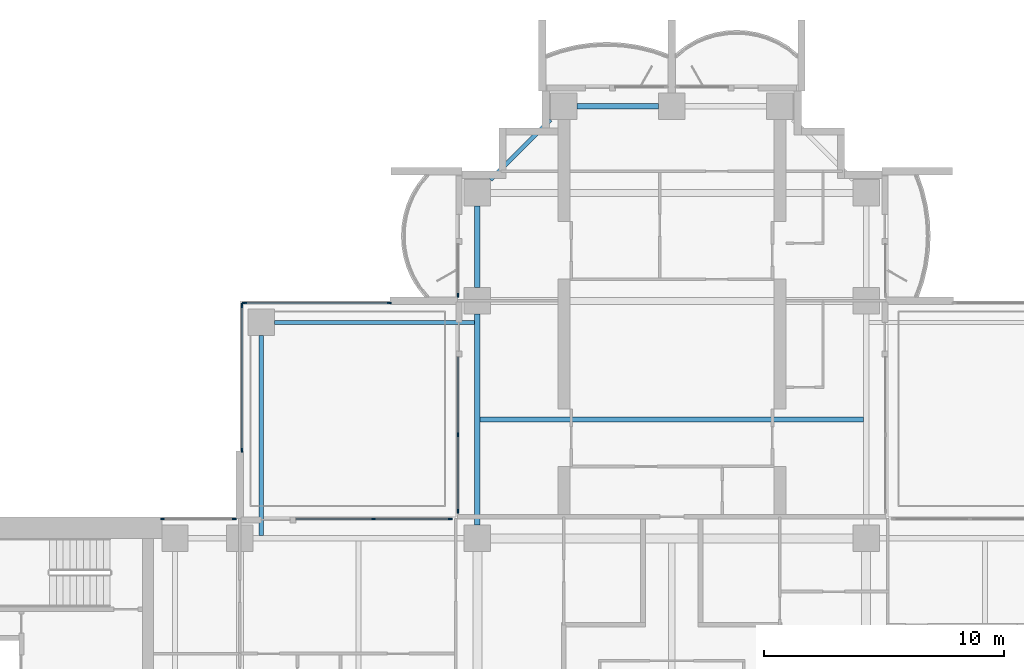
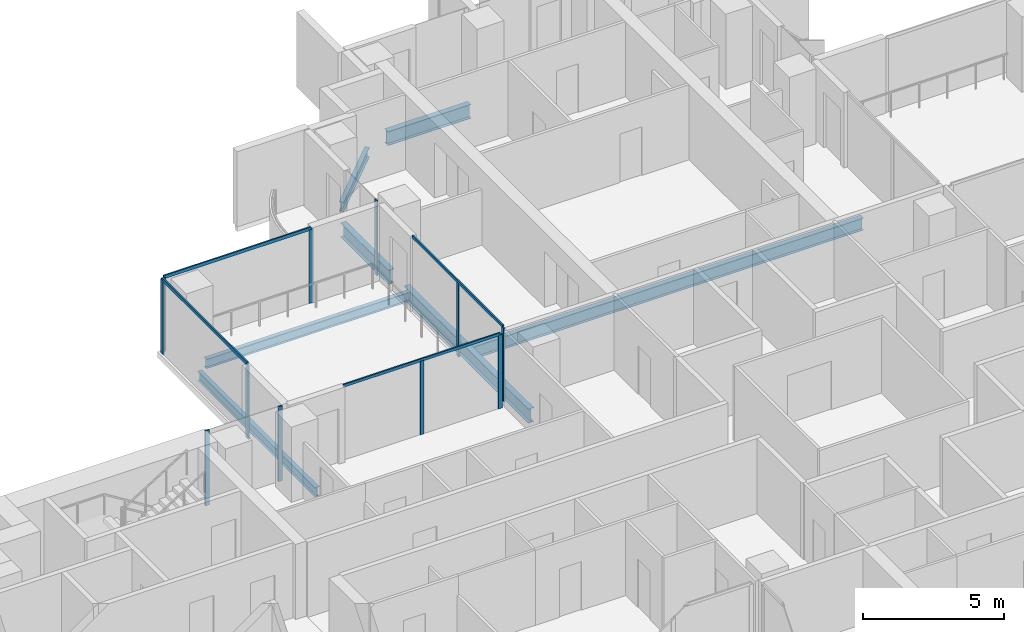
# One storey, part 5 of 19: 15 members, 7 beams, 6 elements without a shape of their own.
"""IFC4 building model written with IfcOpenShell, lengths in metres."""

from ifc_helpers import new_model, si_unit, direction, frame, origin, origin_2d, place, context, subcontext, project, spatial, rectangle, i_section, extrude, material, material_profile, profile_set, type_object, element, aggregate, save


model = new_model("IFC4")

# Units and contexts
model_context = context("Model", 3, precision=1e-05, world=origin(), true_north=direction((0.0, 1.0)))
body_context = subcontext(model_context, "Body", "Model", "MODEL_VIEW")
ifc_project = project(units=[si_unit("LENGTHUNIT", "METRE"), si_unit("AREAUNIT", "SQUARE_METRE"), si_unit("VOLUMEUNIT", "CUBIC_METRE"), si_unit("PLANEANGLEUNIT", "RADIAN"), si_unit("MASSUNIT", "GRAM", prefix="KILO")], contexts=[model_context])

# Site, building, storey
site_placement = place(None, origin())
site = spatial("IfcSite", under=ifc_project, at=site_placement, CompositionType="ELEMENT")
building_placement = place(site_placement, origin())
building = spatial("IfcBuilding", under=site, at=building_placement, Name="Perihelion Cross Residences", CompositionType="ELEMENT")
storey_placement = place(building_placement, frame((0.0, 0.0, 119.89990234375)))
storey = spatial("IfcBuildingStorey", under=building, at=storey_placement, Name="L28", CompositionType="ELEMENT", Elevation=119.89990234375)

# Curtain wall, member
ifc_material_1 = material(Name="Bronze anodised aluminium, tinted glazing", Category="aluminium")
curtain_wall_type_1 = type_object("IfcCurtainWallType", Name="CW1", PredefinedType="NOTDEFINED", material=ifc_material_1)
curtain_wall_1_placement = place(storey_placement, origin())
curtain_wall_1 = element("IfcCurtainWall", 1, at=curtain_wall_1_placement, inside=storey, type_object=curtain_wall_type_1, Name="Curtain wall CW1 L28 north side west bay 1", PredefinedType="NOTDEFINED")
ifc_material_2 = material(Name="Bronze anodised aluminium", Category="aluminium")
ifc_material_profile_1 = material_profile(ifc_material_2, rectangle(XDim=0.06005859375, YDim=0.159912109375, at=origin_2d()), Name="CW1 mullion")
ifc_profile_set_1 = profile_set([ifc_material_profile_1], Name="Bronze anodised aluminium")
member_type_1 = type_object("IfcMemberType", Name="CW1 mullion", PredefinedType="MULLION", material=ifc_profile_set_1)
member_1_placement = place(storey_placement, frame((-8.89990234375, 18.22998046875, 0.0), z_axis=(0.0, 0.0, 1.0), x_axis=(1.0, 0.0, 0.0)))
member_1 = element("IfcMember", 2, at=member_1_placement, type_object=member_type_1, Name="CW1 mullion 2", PredefinedType="MULLION", context=body_context, shape_type="SweptSolid", body=[
    extrude(rectangle(XDim=0.06005859375, YDim=0.159912109375, at=origin_2d()), origin(), (0.0, 0.0, 1.0), 3.25),
])
aggregate(curtain_wall_1, [member_1])

# Curtain wall, members
curtain_wall_2_placement = place(storey_placement, origin())
curtain_wall_2 = element("IfcCurtainWall", 3, at=curtain_wall_2_placement, inside=storey, type_object=curtain_wall_type_1, Name="Curtain wall CW1 L28 north side west bay 2", PredefinedType="NOTDEFINED")
member_2_placement = place(storey_placement, frame((-8.89990234375, 12.425048828125, 0.0), z_axis=(0.0, 0.0, 1.0), x_axis=(1.0, 0.0, 0.0)))
member_2 = element("IfcMember", 4, at=member_2_placement, type_object=member_type_1, Name="CW1 mullion 2", PredefinedType="MULLION", context=body_context, shape_type="SweptSolid", body=[
    extrude(rectangle(XDim=0.06005859375, YDim=0.159912109375, at=origin_2d()), origin(), (0.0, 0.0, 1.0), 3.190185546875),
])
member_3_placement = place(storey_placement, frame((-8.89990234375, 9.22998046875, 0.0), z_axis=(0.0, 0.0, 1.0), x_axis=(1.0, 0.0, 0.0)))
member_3 = element("IfcMember", 5, at=member_3_placement, type_object=member_type_1, Name="CW1 mullion 3", PredefinedType="MULLION", context=body_context, shape_type="SweptSolid", body=[
    extrude(rectangle(XDim=0.06005859375, YDim=0.159912109375, at=origin_2d()), origin(), (0.0, 0.0, 1.0), 3.190185546875),
])

curtain_wall_3_placement = place(storey_placement, origin())
curtain_wall_3 = element("IfcCurtainWall", 6, at=curtain_wall_3_placement, inside=storey, type_object=curtain_wall_type_1, Name="Curtain wall CW1 L28 west side north bay 1", PredefinedType="NOTDEFINED")
member_4_placement = place(storey_placement, frame((-9.22998046875, 8.89990234375, 0.0), z_axis=(0.0, 0.0, 1.0), x_axis=(0.0, -1.0, 0.0)))
member_4 = element("IfcMember", 7, at=member_4_placement, type_object=member_type_1, Name="CW1 mullion 1", PredefinedType="MULLION", context=body_context, shape_type="SweptSolid", body=[
    extrude(rectangle(XDim=0.06005859375, YDim=0.159912109375, at=origin_2d()), origin(), (0.0, 0.0, 1.0), 3.190185546875),
])
member_5_placement = place(storey_placement, frame((-12.425048828125, 8.89990234375, 0.0), z_axis=(0.0, 0.0, 1.0), x_axis=(0.0, -1.0, 0.0)))
member_5 = element("IfcMember", 8, at=member_5_placement, type_object=member_type_1, Name="CW1 mullion 2", PredefinedType="MULLION", context=body_context, shape_type="SweptSolid", body=[
    extrude(rectangle(XDim=0.06005859375, YDim=0.159912109375, at=origin_2d()), origin(), (0.0, 0.0, 1.0), 3.190185546875),
])

curtain_wall_4_placement = place(storey_placement, origin())
curtain_wall_4 = element("IfcCurtainWall", 9, at=curtain_wall_4_placement, inside=storey, type_object=curtain_wall_type_1, Name="Curtain wall CW1 L28 west side north bay 2", PredefinedType="NOTDEFINED")
member_6_placement = place(storey_placement, frame((-18.22998046875, 8.89990234375, 0.0), z_axis=(0.0, 0.0, 1.0), x_axis=(0.0, -1.0, 0.0)))
member_6 = element("IfcMember", 10, at=member_6_placement, type_object=member_type_1, Name="CW1 mullion 1", PredefinedType="MULLION", context=body_context, shape_type="SweptSolid", body=[
    extrude(rectangle(XDim=0.06005859375, YDim=0.159912109375, at=origin_2d()), origin(), (0.0, 0.0, 1.0), 3.25),
])
member_7_placement = place(storey_placement, frame((-21.219970703125, 8.89990234375, 0.0), z_axis=(0.0, 0.0, 1.0), x_axis=(0.0, -1.0, 0.0)))
member_7 = element("IfcMember", 11, at=member_7_placement, type_object=member_type_1, Name="CW1 mullion 2", PredefinedType="MULLION", context=body_context, shape_type="SweptSolid", body=[
    extrude(rectangle(XDim=0.06005859375, YDim=0.159912109375, at=origin_2d()), origin(), (0.0, 0.0, 1.0), 3.25),
])
aggregate(curtain_wall_4, [member_6, member_7])

# Member
ifc_material_3 = material(Name="Bronze anodised aluminium", Category="aluminium")
ifc_material_profile_2 = material_profile(ifc_material_3, rectangle(XDim=0.06005859375, YDim=0.1201171875, at=origin_2d()), Name="CW1 transom")
ifc_profile_set_2 = profile_set([ifc_material_profile_2], Name="Bronze anodised aluminium")
member_type_2 = type_object("IfcMemberType", Name="CW1 transom", PredefinedType="USERDEFINED", material=ifc_profile_set_2)
member_8_placement = place(storey_placement, frame((-8.89990234375, 15.64990234375, 3.22021484375), z_axis=(0.0, -1.0, 0.0), x_axis=(1.0, 0.0, 0.0)))
member_8 = element("IfcMember", 12, at=member_8_placement, type_object=member_type_2, Name="CW1 head transom", ObjectType="TRANSOM", PredefinedType="USERDEFINED", context=body_context, shape_type="SweptSolid", body=[
    extrude(rectangle(XDim=0.06005859375, YDim=0.1201171875, at=origin_2d()), origin(), (0.0, 0.0, 1.0), 6.419921875),
])

aggregate(curtain_wall_2, [member_2, member_3, member_8])

member_9_placement = place(storey_placement, frame((-9.22998046875, 8.89990234375, 3.22021484375), z_axis=(-1.0, 0.0, 0.0), x_axis=(0.0, -1.0, 0.0)))
member_9 = element("IfcMember", 13, at=member_9_placement, type_object=member_type_2, Name="CW1 head transom", ObjectType="TRANSOM", PredefinedType="USERDEFINED", context=body_context, shape_type="SweptSolid", body=[
    extrude(rectangle(XDim=0.06005859375, YDim=0.1201171875, at=origin_2d()), origin(), (0.0, 0.0, 1.0), 6.419921875),
])

aggregate(curtain_wall_3, [member_4, member_5, member_9])

# Curtain wall, members
ifc_material_4 = material(Name="Bronze anodised aluminium, tinted glazing", Category="aluminium")
curtain_wall_type_2 = type_object("IfcCurtainWallType", Name="CW4", PredefinedType="NOTDEFINED", material=ifc_material_4)
curtain_wall_5_placement = place(storey_placement, origin())
curtain_wall_5 = element("IfcCurtainWall", 14, at=curtain_wall_5_placement, inside=storey, type_object=curtain_wall_type_2, Name="Curtain wall CW4 L28 pocket north-west 1 1", PredefinedType="NOTDEFINED")
ifc_material_5 = material(Name="Bronze anodised aluminium", Category="aluminium")
ifc_material_profile_3 = material_profile(ifc_material_5, rectangle(XDim=0.06005859375, YDim=0.179931640625, at=origin_2d()), Name="CW4 mullion")
ifc_profile_set_3 = profile_set([ifc_material_profile_3], Name="Bronze anodised aluminium")
member_type_3 = type_object("IfcMemberType", Name="CW4 mullion", PredefinedType="MULLION", material=ifc_profile_set_3)
member_10_placement = place(storey_placement, frame((-17.89990234375, 11.77001953125, 0.0), z_axis=(0.0, 0.0, 1.0), x_axis=(-1.0, 0.0, 0.0)))
member_10 = element("IfcMember", 15, at=member_10_placement, type_object=member_type_3, Name="CW4 mullion 1", PredefinedType="MULLION", context=body_context, shape_type="SweptSolid", body=[
    extrude(rectangle(XDim=0.06005859375, YDim=0.179931640625, at=origin_2d()), origin(), (0.0, 0.0, 1.0), 3.190185546875),
])
member_11_placement = place(storey_placement, frame((-17.89990234375, 17.800048828125, 0.0), z_axis=(0.0, 0.0, 1.0), x_axis=(-1.0, 0.0, 0.0)))
member_11 = element("IfcMember", 16, at=member_11_placement, type_object=member_type_3, Name="CW4 mullion 2", PredefinedType="MULLION", context=body_context, shape_type="SweptSolid", body=[
    extrude(rectangle(XDim=0.06005859375, YDim=0.179931640625, at=origin_2d()), origin(), (0.0, 0.0, 1.0), 3.190185546875),
])

curtain_wall_6_placement = place(storey_placement, origin())
curtain_wall_6 = element("IfcCurtainWall", 17, at=curtain_wall_6_placement, inside=storey, type_object=curtain_wall_type_2, Name="Curtain wall CW4 L28 pocket north-west 1 2", PredefinedType="NOTDEFINED")
member_12_placement = place(storey_placement, frame((-17.800048828125, 17.89990234375, 0.0), z_axis=(0.0, 0.0, 1.0), x_axis=(0.0, 1.0, 0.0)))
member_12 = element("IfcMember", 18, at=member_12_placement, type_object=member_type_3, Name="CW4 mullion 1", PredefinedType="MULLION", context=body_context, shape_type="SweptSolid", body=[
    extrude(rectangle(XDim=0.06005859375, YDim=0.179931640625, at=origin_2d()), origin(), (0.0, 0.0, 1.0), 3.190185546875),
])
member_13_placement = place(storey_placement, frame((-11.77001953125, 17.89990234375, 0.0), z_axis=(0.0, 0.0, 1.0), x_axis=(0.0, 1.0, 0.0)))
member_13 = element("IfcMember", 19, at=member_13_placement, type_object=member_type_3, Name="CW4 mullion 2", PredefinedType="MULLION", context=body_context, shape_type="SweptSolid", body=[
    extrude(rectangle(XDim=0.06005859375, YDim=0.179931640625, at=origin_2d()), origin(), (0.0, 0.0, 1.0), 3.190185546875),
])

# Member
ifc_material_6 = material(Name="Bronze anodised aluminium", Category="aluminium")
ifc_material_profile_4 = material_profile(ifc_material_6, rectangle(XDim=0.06005859375, YDim=0.139892578125, at=origin_2d()), Name="CW4 transom")
ifc_profile_set_4 = profile_set([ifc_material_profile_4], Name="Bronze anodised aluminium")
member_type_4 = type_object("IfcMemberType", Name="CW4 transom", PredefinedType="USERDEFINED", material=ifc_profile_set_4)
member_14_placement = place(storey_placement, frame((-17.89990234375, 11.77001953125, 3.22021484375), z_axis=(0.0, 1.0, 0.0), x_axis=(-1.0, 0.0, 0.0)))
member_14 = element("IfcMember", 20, at=member_14_placement, type_object=member_type_4, Name="CW4 head transom", ObjectType="TRANSOM", PredefinedType="USERDEFINED", context=body_context, shape_type="SweptSolid", body=[
    extrude(rectangle(XDim=0.06005859375, YDim=0.139892578125, at=origin_2d()), origin(), (0.0, 0.0, 1.0), 6.030029296875),
])

aggregate(curtain_wall_5, [member_10, member_11, member_14])

member_15_placement = place(storey_placement, frame((-17.800048828125, 17.89990234375, 3.22021484375), z_axis=(1.0, 0.0, 0.0), x_axis=(0.0, 1.0, 0.0)))
member_15 = element("IfcMember", 21, at=member_15_placement, type_object=member_type_4, Name="CW4 head transom", ObjectType="TRANSOM", PredefinedType="USERDEFINED", context=body_context, shape_type="SweptSolid", body=[
    extrude(rectangle(XDim=0.06005859375, YDim=0.139892578125, at=origin_2d()), origin(), (0.0, 0.0, 1.0), 6.030029296875),
])

aggregate(curtain_wall_6, [member_12, member_13, member_15])

# Beams
ifc_material_7 = material(Name="Steel S355", Category="steel")
ifc_material_profile_5 = material_profile(ifc_material_7, i_section(OverallWidth=0.177978515625, OverallDepth=0.406005859375, WebThickness=0.0078125, FlangeThickness=0.0126953125, at=origin_2d()), Name="W410x60")
ifc_profile_set_5 = profile_set([ifc_material_profile_5], Name="Steel S355")
beam_type_1 = type_object("IfcBeamType", Name="Core edge beam W410x60", PredefinedType="BEAM", material=ifc_profile_set_5)
for number, where, z_axis, x_axis, name in (
    (22, (-17.10009765625, 8.214599609375, -0.452880859375), (0.0, 1.0, 0.0), (-1.0, 0.0, 0.0), "Core edge beam TB2 L28 corner no. 3"),
    (23, (-8.214599609375, 17.10009765625, -0.452880859375), (-1.0, 0.0, 0.0), (0.0, -1.0, 0.0), "Core edge beam TB2 L28 corner no. 4"),
):
    element("IfcBeam", number, at=place(storey_placement, frame(where, z_axis=z_axis, x_axis=x_axis)), inside=storey, type_object=beam_type_1, Name=name, PredefinedType="BEAM", context=body_context, shape_type="SweptSolid", body=[
        extrude(i_section(OverallWidth=0.177978515625, OverallDepth=0.406005859375, WebThickness=0.0078125, FlangeThickness=0.0126953125, at=origin_2d()), origin(), (0.0, 0.0, 1.0), 8.33544921875),
    ])
ifc_material_8 = material(Name="Steel S355", Category="steel")
ifc_material_profile_6 = material_profile(ifc_material_8, i_section(OverallWidth=0.22900390625, OverallDepth=0.612060546875, WebThickness=0.011962890625, FlangeThickness=0.01953125, at=origin_2d()), Name="W610x125")
ifc_profile_set_6 = profile_set([ifc_material_profile_6], Name="Steel S355")
beam_type_2 = type_object("IfcBeamType", Name="Edge beam W610x125", PredefinedType="SPANDREL", material=ifc_profile_set_6)
for number, where, z_axis, x_axis, name in (
    (24, (-0.550048828125, 26.10009765625, -0.555908203125), (-1.0, 0.0, 0.0), (0.0, -1.0, 0.0), "Edge beam SB3 L28 no. 10"),
    (25, (-8.10009765625, 21.949951171875, -0.555908203125), (0.0, -1.0, 0.0), (1.0, 0.0, 0.0), "Edge beam SB3 L28 no. 7"),
):
    element("IfcBeam", number, at=place(storey_placement, frame(where, z_axis=z_axis, x_axis=x_axis)), inside=storey, type_object=beam_type_2, Name=name, PredefinedType="SPANDREL", context=body_context, shape_type="SweptSolid", body=[
        extrude(i_section(OverallWidth=0.22900390625, OverallDepth=0.612060546875, WebThickness=0.011962890625, FlangeThickness=0.01953125, at=origin_2d()), origin(), (0.0, 0.0, 1.0), 3.39990234375),
    ])
beam_1_placement = place(storey_placement, frame((-8.10009765625, 17.449951171875, -0.555908203125), z_axis=(0.0, -1.0, 0.0), x_axis=(1.0, 0.0, 0.0)))
element("IfcBeam", 26, at=beam_1_placement, inside=storey, type_object=beam_type_2, Name="Edge beam SB3 L28 no. 6", PredefinedType="SPANDREL", context=body_context, shape_type="SweptSolid", body=[
    extrude(i_section(OverallWidth=0.22900390625, OverallDepth=0.612060546875, WebThickness=0.011962890625, FlangeThickness=0.01953125, at=origin_2d()), origin(), (0.0, 0.0, 1.0), 8.800048828125),
])
ifc_material_9 = material(Name="Steel S355", Category="steel")
ifc_material_profile_7 = material_profile(ifc_material_9, i_section(OverallWidth=0.208984375, OverallDepth=0.532958984375, WebThickness=0.01025390625, FlangeThickness=0.015625, at=origin_2d()), Name="W530x92")
ifc_profile_set_7 = profile_set([ifc_material_profile_7], Name="Steel S355")
beam_type_3 = type_object("IfcBeamType", Name="Floor joist W530x92", PredefinedType="JOIST", material=ifc_profile_set_7)
beam_2_placement = place(storey_placement, frame((-7.985595703125, 13.050048828125, -0.516357421875), z_axis=(1.0, 0.0, 0.0), x_axis=(0.0, 1.0, 0.0)))
element("IfcBeam", 27, at=beam_2_placement, inside=storey, type_object=beam_type_3, Name="Joist J4 L28 no. 4", PredefinedType="JOIST", context=body_context, shape_type="SweptSolid", body=[
    extrude(i_section(OverallWidth=0.208984375, OverallDepth=0.532958984375, WebThickness=0.01025390625, FlangeThickness=0.015625, at=origin_2d()), origin(), (0.0, 0.0, 1.0), 15.97119140625),
])
ifc_material_10 = material(Name="Steel S355", Category="steel")
ifc_material_profile_8 = material_profile(ifc_material_10, i_section(OverallWidth=0.180908203125, OverallDepth=0.4169921875, WebThickness=0.010986328125, FlangeThickness=0.018310546875, at=origin_2d()), Name="W410x85")
ifc_profile_set_8 = profile_set([ifc_material_profile_8], Name="Steel S355")
beam_type_4 = type_object("IfcBeamType", Name="Serration edge beam W410x85", PredefinedType="BEAM", material=ifc_profile_set_8)
beam_3_placement = place(storey_placement, frame((-5.050048828125, 25.550048828125, -0.45849609375), z_axis=(-0.707106781187, -0.707106781187, 0.0), x_axis=(0.707106781187, -0.707106781187, 0.0)))
element("IfcBeam", 28, at=beam_3_placement, inside=storey, type_object=beam_type_4, Name="Serration edge beam EB3 L28 no. 1", PredefinedType="BEAM", context=body_context, shape_type="SweptSolid", body=[
    extrude(i_section(OverallWidth=0.180908203125, OverallDepth=0.4169921875, WebThickness=0.010986328125, FlangeThickness=0.018310546875, at=origin_2d()), origin(), (0.0, 0.0, 1.0), 3.53564453125),
])

save(model, "model.ifc")
